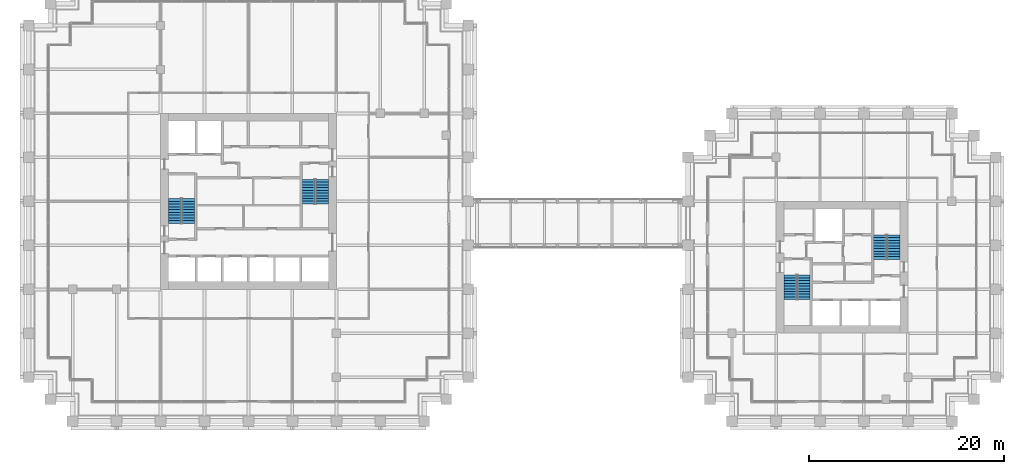
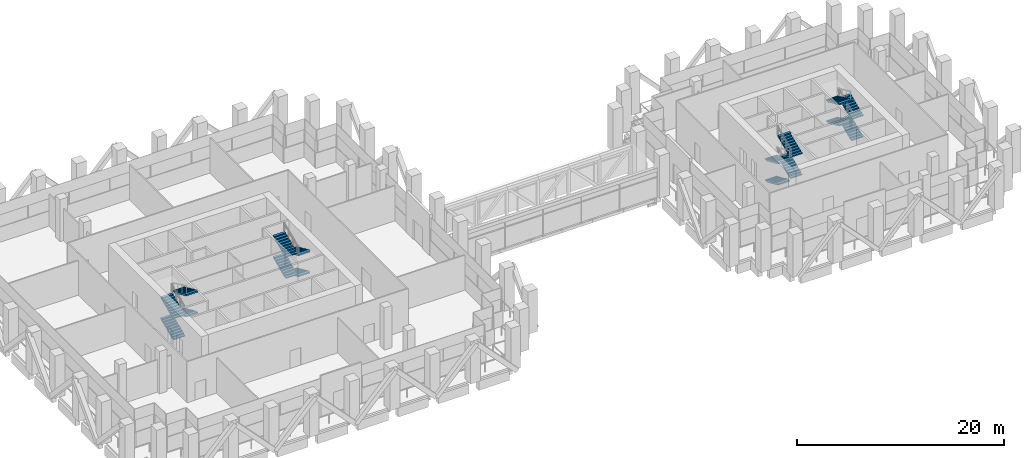
# One storey, part 41 of 44: 16 stair flights, 4 elements without a shape of their own.
"""IFC4 building model written with IfcOpenShell, lengths in metres."""

from ifc_helpers import new_model, si_unit, direction, frame, origin, place, context, subcontext, project, spatial, polyline, outline, extrude, material, type_object, element, aggregate, save


model = new_model("IFC4")

# Units and contexts
model_context = context("Model", 3, precision=1e-05, world=origin(), true_north=direction((0.0, 1.0)))
body_context = subcontext(model_context, "Body", "Model", "MODEL_VIEW")
ifc_project = project(units=[si_unit("LENGTHUNIT", "METRE"), si_unit("AREAUNIT", "SQUARE_METRE"), si_unit("VOLUMEUNIT", "CUBIC_METRE"), si_unit("PLANEANGLEUNIT", "RADIAN"), si_unit("MASSUNIT", "GRAM", prefix="KILO")], contexts=[model_context])

# Site, building, storey
site_placement = place(None, origin())
site = spatial("IfcSite", under=ifc_project, at=site_placement, CompositionType="ELEMENT")
building_placement = place(site_placement, origin())
building = spatial("IfcBuilding", under=site, at=building_placement, Name="Altepetl Exchange Towers", CompositionType="ELEMENT")
storey_placement = place(building_placement, frame((0.0, 0.0, 87.0)))
storey = spatial("IfcBuildingStorey", under=building, at=storey_placement, Name="L21 Refuge", CompositionType="ELEMENT", Elevation=87.0)

# Stair, stair flights
ifc_material = material(Name="Concrete C40/50", Category="concrete")
stair_type = type_object("IfcStairType", Name="Exit stair 1300 flights dogleg", PredefinedType="HALF_TURN_STAIR", material=ifc_material)
stair_1_placement = place(storey_placement, origin())
stair_1 = element("IfcStair", 1, at=stair_1_placement, inside=storey, type_object=stair_type, Name="Exit stair 1", PredefinedType="HALF_TURN_STAIR")
stair_flight_type = type_object("IfcStairFlightType", Name="Stair flight 1300 wide", PredefinedType="STRAIGHT", material=ifc_material)
stair_flight_1_placement = place(storey_placement, frame((41.949951171875, 47.25, 0.0), z_axis=(0.0, 0.0, 1.0), x_axis=(0.0, 1.0, 0.0)))
stair_flight_1 = element("IfcStairFlight", 2, at=stair_flight_1_placement, type_object=stair_flight_type, Name="ST-A1c flight 1", NumberOfRisers=10, NumberOfTreads=9, PredefinedType="STRAIGHT", RiserHeight=0.125, TreadLength=0.28, context=body_context, shape_type="SweptSolid", body=[
    extrude(outline(polyline([(0.0, 0.0), (0.0, 0.125), (0.280029296875, 0.125), (0.280029296875, 0.25), (0.56005859375, 0.25), (0.56005859375, 0.375), (0.840087890625, 0.375), (0.840087890625, 0.5), (1.1201171875, 0.5), (1.1201171875, 0.625), (1.39990234375, 0.625), (1.39990234375, 0.75), (1.679931640625, 0.75), (1.679931640625, 0.875), (1.9599609375, 0.875), (1.9599609375, 1.0), (2.239990234375, 1.0), (2.239990234375, 1.125), (2.52001953125, 1.125), (2.52001953125, 1.25), (2.52001953125, 0.9609375), (0.36767578125, 0.0), (0.0, 0.0)])), frame((0.0, 0.64990234375, 0.0), z_axis=(0.0, -1.0, 0.0), x_axis=(1.0, 0.0, 0.0)), (0.0, 0.0, 1.0), 1.300048828125),
])
stair_flight_2_placement = place(storey_placement, frame((43.35009765625, 49.77001953125, 1.25), z_axis=(0.0, 0.0, 1.0), x_axis=(0.0, -1.0, 0.0)))
stair_flight_2 = element("IfcStairFlight", 3, at=stair_flight_2_placement, type_object=stair_flight_type, Name="ST-A1c flight 2", NumberOfRisers=10, NumberOfTreads=9, PredefinedType="STRAIGHT", RiserHeight=0.125, TreadLength=0.28, context=body_context, shape_type="SweptSolid", body=[
    extrude(outline(polyline([(0.0, 0.0), (0.0, 0.125), (0.280029296875, 0.125), (0.280029296875, 0.25), (0.56005859375, 0.25), (0.56005859375, 0.375), (0.840087890625, 0.375), (0.840087890625, 0.5), (1.1201171875, 0.5), (1.1201171875, 0.625), (1.39990234375, 0.625), (1.39990234375, 0.75), (1.679931640625, 0.75), (1.679931640625, 0.875), (1.9599609375, 0.875), (1.9599609375, 1.0), (2.239990234375, 1.0), (2.239990234375, 1.125), (2.52001953125, 1.125), (2.52001953125, 1.25), (2.52001953125, 0.9609375), (0.36767578125, 0.0), (0.0, 0.0)])), frame((0.0, 0.64990234375, 0.0), z_axis=(0.0, -1.0, 0.0), x_axis=(1.0, 0.0, 0.0)), (0.0, 0.0, 1.0), 1.300048828125),
])
stair_flight_3_placement = place(storey_placement, frame((41.949951171875, 47.25, 2.5), z_axis=(0.0, 0.0, 1.0), x_axis=(0.0, 1.0, 0.0)))
stair_flight_3 = element("IfcStairFlight", 4, at=stair_flight_3_placement, type_object=stair_flight_type, Name="ST-A1c flight 3", NumberOfRisers=10, NumberOfTreads=9, PredefinedType="STRAIGHT", RiserHeight=0.125, TreadLength=0.28, context=body_context, shape_type="SweptSolid", body=[
    extrude(outline(polyline([(0.0, 0.0), (0.0, 0.125), (0.280029296875, 0.125), (0.280029296875, 0.25), (0.56005859375, 0.25), (0.56005859375, 0.375), (0.840087890625, 0.375), (0.840087890625, 0.5), (1.1201171875, 0.5), (1.1201171875, 0.625), (1.39990234375, 0.625), (1.39990234375, 0.75), (1.679931640625, 0.75), (1.679931640625, 0.875), (1.9599609375, 0.875), (1.9599609375, 1.0), (2.239990234375, 1.0), (2.239990234375, 1.125), (2.52001953125, 1.125), (2.52001953125, 1.25), (2.52001953125, 0.9609375), (0.36767578125, 0.0), (0.0, 0.0)])), frame((0.0, 0.64990234375, 0.0), z_axis=(0.0, -1.0, 0.0), x_axis=(1.0, 0.0, 0.0)), (0.0, 0.0, 1.0), 1.300048828125),
])
stair_flight_4_placement = place(storey_placement, frame((43.35009765625, 49.77001953125, 3.75), z_axis=(0.0, 0.0, 1.0), x_axis=(0.0, -1.0, 0.0)))
stair_flight_4 = element("IfcStairFlight", 5, at=stair_flight_4_placement, type_object=stair_flight_type, Name="ST-A1c flight 4", NumberOfRisers=10, NumberOfTreads=9, PredefinedType="STRAIGHT", RiserHeight=0.125, TreadLength=0.28, context=body_context, shape_type="SweptSolid", body=[
    extrude(outline(polyline([(0.0, 0.0), (0.0, 0.125), (0.280029296875, 0.125), (0.280029296875, 0.25), (0.56005859375, 0.25), (0.56005859375, 0.375), (0.840087890625, 0.375), (0.840087890625, 0.5), (1.1201171875, 0.5), (1.1201171875, 0.625), (1.39990234375, 0.625), (1.39990234375, 0.75), (1.679931640625, 0.75), (1.679931640625, 0.875), (1.9599609375, 0.875), (1.9599609375, 1.0), (2.239990234375, 1.0), (2.239990234375, 1.125), (2.52001953125, 1.125), (2.52001953125, 1.25), (2.52001953125, 0.9609375), (0.36767578125, 0.0), (0.0, 0.0)])), frame((0.0, 0.64990234375, 0.0), z_axis=(0.0, -1.0, 0.0), x_axis=(1.0, 0.0, 0.0)), (0.0, 0.0, 1.0), 1.300048828125),
])
aggregate(stair_1, [stair_flight_1, stair_flight_2, stair_flight_3, stair_flight_4])

stair_2_placement = place(storey_placement, origin())
stair_2 = element("IfcStair", 6, at=stair_2_placement, inside=storey, type_object=stair_type, Name="Exit stair 2", PredefinedType="HALF_TURN_STAIR")
stair_flight_5_placement = place(storey_placement, frame((57.050048828125, 51.75, 0.0), z_axis=(0.0, 0.0, 1.0), x_axis=(0.0, -1.0, 0.0)))
stair_flight_5 = element("IfcStairFlight", 7, at=stair_flight_5_placement, type_object=stair_flight_type, Name="ST-A2c flight 1", NumberOfRisers=10, NumberOfTreads=9, PredefinedType="STRAIGHT", RiserHeight=0.125, TreadLength=0.28, context=body_context, shape_type="SweptSolid", body=[
    extrude(outline(polyline([(0.0, 0.0), (0.0, 0.125), (0.280029296875, 0.125), (0.280029296875, 0.25), (0.56005859375, 0.25), (0.56005859375, 0.375), (0.840087890625, 0.375), (0.840087890625, 0.5), (1.1201171875, 0.5), (1.1201171875, 0.625), (1.39990234375, 0.625), (1.39990234375, 0.75), (1.679931640625, 0.75), (1.679931640625, 0.875), (1.9599609375, 0.875), (1.9599609375, 1.0), (2.239990234375, 1.0), (2.239990234375, 1.125), (2.52001953125, 1.125), (2.52001953125, 1.25), (2.52001953125, 0.9609375), (0.36767578125, 0.0), (0.0, 0.0)])), frame((0.0, 0.64990234375, 0.0), z_axis=(0.0, -1.0, 0.0), x_axis=(1.0, 0.0, 0.0)), (0.0, 0.0, 1.0), 1.300048828125),
])
stair_flight_6_placement = place(storey_placement, frame((55.64990234375, 49.22998046875, 1.25), z_axis=(0.0, 0.0, 1.0), x_axis=(0.0, 1.0, 0.0)))
stair_flight_6 = element("IfcStairFlight", 8, at=stair_flight_6_placement, type_object=stair_flight_type, Name="ST-A2c flight 2", NumberOfRisers=10, NumberOfTreads=9, PredefinedType="STRAIGHT", RiserHeight=0.125, TreadLength=0.28, context=body_context, shape_type="SweptSolid", body=[
    extrude(outline(polyline([(0.0, 0.0), (0.0, 0.125), (0.280029296875, 0.125), (0.280029296875, 0.25), (0.56005859375, 0.25), (0.56005859375, 0.375), (0.840087890625, 0.375), (0.840087890625, 0.5), (1.1201171875, 0.5), (1.1201171875, 0.625), (1.39990234375, 0.625), (1.39990234375, 0.75), (1.679931640625, 0.75), (1.679931640625, 0.875), (1.9599609375, 0.875), (1.9599609375, 1.0), (2.239990234375, 1.0), (2.239990234375, 1.125), (2.52001953125, 1.125), (2.52001953125, 1.25), (2.52001953125, 0.9609375), (0.36767578125, 0.0), (0.0, 0.0)])), frame((0.0, 0.64990234375, 0.0), z_axis=(0.0, -1.0, 0.0), x_axis=(1.0, 0.0, 0.0)), (0.0, 0.0, 1.0), 1.300048828125),
])
stair_flight_7_placement = place(storey_placement, frame((57.050048828125, 51.75, 2.5), z_axis=(0.0, 0.0, 1.0), x_axis=(0.0, -1.0, 0.0)))
stair_flight_7 = element("IfcStairFlight", 9, at=stair_flight_7_placement, type_object=stair_flight_type, Name="ST-A2c flight 3", NumberOfRisers=10, NumberOfTreads=9, PredefinedType="STRAIGHT", RiserHeight=0.125, TreadLength=0.28, context=body_context, shape_type="SweptSolid", body=[
    extrude(outline(polyline([(0.0, 0.0), (0.0, 0.125), (0.280029296875, 0.125), (0.280029296875, 0.25), (0.56005859375, 0.25), (0.56005859375, 0.375), (0.840087890625, 0.375), (0.840087890625, 0.5), (1.1201171875, 0.5), (1.1201171875, 0.625), (1.39990234375, 0.625), (1.39990234375, 0.75), (1.679931640625, 0.75), (1.679931640625, 0.875), (1.9599609375, 0.875), (1.9599609375, 1.0), (2.239990234375, 1.0), (2.239990234375, 1.125), (2.52001953125, 1.125), (2.52001953125, 1.25), (2.52001953125, 0.9609375), (0.36767578125, 0.0), (0.0, 0.0)])), frame((0.0, 0.64990234375, 0.0), z_axis=(0.0, -1.0, 0.0), x_axis=(1.0, 0.0, 0.0)), (0.0, 0.0, 1.0), 1.300048828125),
])
stair_flight_8_placement = place(storey_placement, frame((55.64990234375, 49.22998046875, 3.75), z_axis=(0.0, 0.0, 1.0), x_axis=(0.0, 1.0, 0.0)))
stair_flight_8 = element("IfcStairFlight", 10, at=stair_flight_8_placement, type_object=stair_flight_type, Name="ST-A2c flight 4", NumberOfRisers=10, NumberOfTreads=9, PredefinedType="STRAIGHT", RiserHeight=0.125, TreadLength=0.28, context=body_context, shape_type="SweptSolid", body=[
    extrude(outline(polyline([(0.0, 0.0), (0.0, 0.125), (0.280029296875, 0.125), (0.280029296875, 0.25), (0.56005859375, 0.25), (0.56005859375, 0.375), (0.840087890625, 0.375), (0.840087890625, 0.5), (1.1201171875, 0.5), (1.1201171875, 0.625), (1.39990234375, 0.625), (1.39990234375, 0.75), (1.679931640625, 0.75), (1.679931640625, 0.875), (1.9599609375, 0.875), (1.9599609375, 1.0), (2.239990234375, 1.0), (2.239990234375, 1.125), (2.52001953125, 1.125), (2.52001953125, 1.25), (2.52001953125, 0.9609375), (0.36767578125, 0.0), (0.0, 0.0)])), frame((0.0, 0.64990234375, 0.0), z_axis=(0.0, -1.0, 0.0), x_axis=(1.0, 0.0, 0.0)), (0.0, 0.0, 1.0), 1.300048828125),
])
aggregate(stair_2, [stair_flight_5, stair_flight_6, stair_flight_7, stair_flight_8])

stair_3_placement = place(storey_placement, origin())
stair_3 = element("IfcStair", 11, at=stair_3_placement, inside=storey, type_object=stair_type, Name="Exit stair 1", PredefinedType="HALF_TURN_STAIR")
stair_flight_9_placement = place(storey_placement, frame((104.949951171875, 41.949951171875, 0.0), z_axis=(0.0, 0.0, 1.0), x_axis=(0.0, -1.0, 0.0)))
stair_flight_9 = element("IfcStairFlight", 12, at=stair_flight_9_placement, type_object=stair_flight_type, Name="ST-B1c flight 1", NumberOfRisers=10, NumberOfTreads=9, PredefinedType="STRAIGHT", RiserHeight=0.125, TreadLength=0.28, context=body_context, shape_type="SweptSolid", body=[
    extrude(outline(polyline([(0.0, 0.0), (0.0, 0.125), (0.280029296875, 0.125), (0.280029296875, 0.25), (0.56005859375, 0.25), (0.56005859375, 0.375), (0.840087890625, 0.375), (0.840087890625, 0.5), (1.1201171875, 0.5), (1.1201171875, 0.625), (1.39990234375, 0.625), (1.39990234375, 0.75), (1.679931640625, 0.75), (1.679931640625, 0.875), (1.9599609375, 0.875), (1.9599609375, 1.0), (2.239990234375, 1.0), (2.239990234375, 1.125), (2.52001953125, 1.125), (2.52001953125, 1.25), (2.52001953125, 0.9609375), (0.36767578125, 0.0), (0.0, 0.0)])), frame((0.0, 0.64990234375, 0.0), z_axis=(0.0, -1.0, 0.0), x_axis=(1.0, 0.0, 0.0)), (0.0, 0.0, 1.0), 1.300048828125),
])
stair_flight_10_placement = place(storey_placement, frame((106.35009765625, 39.429931640625, 1.25), z_axis=(0.0, 0.0, 1.0), x_axis=(0.0, 1.0, 0.0)))
stair_flight_10 = element("IfcStairFlight", 13, at=stair_flight_10_placement, type_object=stair_flight_type, Name="ST-B1c flight 2", NumberOfRisers=10, NumberOfTreads=9, PredefinedType="STRAIGHT", RiserHeight=0.125, TreadLength=0.28, context=body_context, shape_type="SweptSolid", body=[
    extrude(outline(polyline([(0.0, 0.0), (0.0, 0.125), (0.280029296875, 0.125), (0.280029296875, 0.25), (0.56005859375, 0.25), (0.56005859375, 0.375), (0.840087890625, 0.375), (0.840087890625, 0.5), (1.1201171875, 0.5), (1.1201171875, 0.625), (1.39990234375, 0.625), (1.39990234375, 0.75), (1.679931640625, 0.75), (1.679931640625, 0.875), (1.9599609375, 0.875), (1.9599609375, 1.0), (2.239990234375, 1.0), (2.239990234375, 1.125), (2.52001953125, 1.125), (2.52001953125, 1.25), (2.52001953125, 0.9609375), (0.36767578125, 0.0), (0.0, 0.0)])), frame((0.0, 0.64990234375, 0.0), z_axis=(0.0, -1.0, 0.0), x_axis=(1.0, 0.0, 0.0)), (0.0, 0.0, 1.0), 1.300048828125),
])
stair_flight_11_placement = place(storey_placement, frame((104.949951171875, 41.949951171875, 2.5), z_axis=(0.0, 0.0, 1.0), x_axis=(0.0, -1.0, 0.0)))
stair_flight_11 = element("IfcStairFlight", 14, at=stair_flight_11_placement, type_object=stair_flight_type, Name="ST-B1c flight 3", NumberOfRisers=10, NumberOfTreads=9, PredefinedType="STRAIGHT", RiserHeight=0.125, TreadLength=0.28, context=body_context, shape_type="SweptSolid", body=[
    extrude(outline(polyline([(0.0, 0.0), (0.0, 0.125), (0.280029296875, 0.125), (0.280029296875, 0.25), (0.56005859375, 0.25), (0.56005859375, 0.375), (0.840087890625, 0.375), (0.840087890625, 0.5), (1.1201171875, 0.5), (1.1201171875, 0.625), (1.39990234375, 0.625), (1.39990234375, 0.75), (1.679931640625, 0.75), (1.679931640625, 0.875), (1.9599609375, 0.875), (1.9599609375, 1.0), (2.239990234375, 1.0), (2.239990234375, 1.125), (2.52001953125, 1.125), (2.52001953125, 1.25), (2.52001953125, 0.9609375), (0.36767578125, 0.0), (0.0, 0.0)])), frame((0.0, 0.64990234375, 0.0), z_axis=(0.0, -1.0, 0.0), x_axis=(1.0, 0.0, 0.0)), (0.0, 0.0, 1.0), 1.300048828125),
])
stair_flight_12_placement = place(storey_placement, frame((106.35009765625, 39.429931640625, 3.75), z_axis=(0.0, 0.0, 1.0), x_axis=(0.0, 1.0, 0.0)))
stair_flight_12 = element("IfcStairFlight", 15, at=stair_flight_12_placement, type_object=stair_flight_type, Name="ST-B1c flight 4", NumberOfRisers=10, NumberOfTreads=9, PredefinedType="STRAIGHT", RiserHeight=0.125, TreadLength=0.28, context=body_context, shape_type="SweptSolid", body=[
    extrude(outline(polyline([(0.0, 0.0), (0.0, 0.125), (0.280029296875, 0.125), (0.280029296875, 0.25), (0.56005859375, 0.25), (0.56005859375, 0.375), (0.840087890625, 0.375), (0.840087890625, 0.5), (1.1201171875, 0.5), (1.1201171875, 0.625), (1.39990234375, 0.625), (1.39990234375, 0.75), (1.679931640625, 0.75), (1.679931640625, 0.875), (1.9599609375, 0.875), (1.9599609375, 1.0), (2.239990234375, 1.0), (2.239990234375, 1.125), (2.52001953125, 1.125), (2.52001953125, 1.25), (2.52001953125, 0.9609375), (0.36767578125, 0.0), (0.0, 0.0)])), frame((0.0, 0.64990234375, 0.0), z_axis=(0.0, -1.0, 0.0), x_axis=(1.0, 0.0, 0.0)), (0.0, 0.0, 1.0), 1.300048828125),
])
aggregate(stair_3, [stair_flight_9, stair_flight_10, stair_flight_11, stair_flight_12])

stair_4_placement = place(storey_placement, origin())
stair_4 = element("IfcStair", 16, at=stair_4_placement, inside=storey, type_object=stair_type, Name="Exit stair 2", PredefinedType="HALF_TURN_STAIR")
stair_flight_13_placement = place(storey_placement, frame((115.550048828125, 43.550048828125, 0.0), z_axis=(0.0, 0.0, 1.0), x_axis=(0.0, 1.0, 0.0)))
stair_flight_13 = element("IfcStairFlight", 17, at=stair_flight_13_placement, type_object=stair_flight_type, Name="ST-B2c flight 1", NumberOfRisers=10, NumberOfTreads=9, PredefinedType="STRAIGHT", RiserHeight=0.125, TreadLength=0.28, context=body_context, shape_type="SweptSolid", body=[
    extrude(outline(polyline([(0.0, 0.0), (0.0, 0.125), (0.280029296875, 0.125), (0.280029296875, 0.25), (0.56005859375, 0.25), (0.56005859375, 0.375), (0.840087890625, 0.375), (0.840087890625, 0.5), (1.1201171875, 0.5), (1.1201171875, 0.625), (1.39990234375, 0.625), (1.39990234375, 0.75), (1.679931640625, 0.75), (1.679931640625, 0.875), (1.9599609375, 0.875), (1.9599609375, 1.0), (2.239990234375, 1.0), (2.239990234375, 1.125), (2.52001953125, 1.125), (2.52001953125, 1.25), (2.52001953125, 0.9609375), (0.36767578125, 0.0), (0.0, 0.0)])), frame((0.0, 0.64990234375, 0.0), z_axis=(0.0, -1.0, 0.0), x_axis=(1.0, 0.0, 0.0)), (0.0, 0.0, 1.0), 1.300048828125),
])
stair_flight_14_placement = place(storey_placement, frame((114.14990234375, 46.070068359375, 1.25), z_axis=(0.0, 0.0, 1.0), x_axis=(0.0, -1.0, 0.0)))
stair_flight_14 = element("IfcStairFlight", 18, at=stair_flight_14_placement, type_object=stair_flight_type, Name="ST-B2c flight 2", NumberOfRisers=10, NumberOfTreads=9, PredefinedType="STRAIGHT", RiserHeight=0.125, TreadLength=0.28, context=body_context, shape_type="SweptSolid", body=[
    extrude(outline(polyline([(0.0, 0.0), (0.0, 0.125), (0.280029296875, 0.125), (0.280029296875, 0.25), (0.56005859375, 0.25), (0.56005859375, 0.375), (0.840087890625, 0.375), (0.840087890625, 0.5), (1.1201171875, 0.5), (1.1201171875, 0.625), (1.39990234375, 0.625), (1.39990234375, 0.75), (1.679931640625, 0.75), (1.679931640625, 0.875), (1.9599609375, 0.875), (1.9599609375, 1.0), (2.239990234375, 1.0), (2.239990234375, 1.125), (2.52001953125, 1.125), (2.52001953125, 1.25), (2.52001953125, 0.9609375), (0.36767578125, 0.0), (0.0, 0.0)])), frame((0.0, 0.64990234375, 0.0), z_axis=(0.0, -1.0, 0.0), x_axis=(1.0, 0.0, 0.0)), (0.0, 0.0, 1.0), 1.300048828125),
])
stair_flight_15_placement = place(storey_placement, frame((115.550048828125, 43.550048828125, 2.5), z_axis=(0.0, 0.0, 1.0), x_axis=(0.0, 1.0, 0.0)))
stair_flight_15 = element("IfcStairFlight", 19, at=stair_flight_15_placement, type_object=stair_flight_type, Name="ST-B2c flight 3", NumberOfRisers=10, NumberOfTreads=9, PredefinedType="STRAIGHT", RiserHeight=0.125, TreadLength=0.28, context=body_context, shape_type="SweptSolid", body=[
    extrude(outline(polyline([(0.0, 0.0), (0.0, 0.125), (0.280029296875, 0.125), (0.280029296875, 0.25), (0.56005859375, 0.25), (0.56005859375, 0.375), (0.840087890625, 0.375), (0.840087890625, 0.5), (1.1201171875, 0.5), (1.1201171875, 0.625), (1.39990234375, 0.625), (1.39990234375, 0.75), (1.679931640625, 0.75), (1.679931640625, 0.875), (1.9599609375, 0.875), (1.9599609375, 1.0), (2.239990234375, 1.0), (2.239990234375, 1.125), (2.52001953125, 1.125), (2.52001953125, 1.25), (2.52001953125, 0.9609375), (0.36767578125, 0.0), (0.0, 0.0)])), frame((0.0, 0.64990234375, 0.0), z_axis=(0.0, -1.0, 0.0), x_axis=(1.0, 0.0, 0.0)), (0.0, 0.0, 1.0), 1.300048828125),
])
stair_flight_16_placement = place(storey_placement, frame((114.14990234375, 46.070068359375, 3.75), z_axis=(0.0, 0.0, 1.0), x_axis=(0.0, -1.0, 0.0)))
stair_flight_16 = element("IfcStairFlight", 20, at=stair_flight_16_placement, type_object=stair_flight_type, Name="ST-B2c flight 4", NumberOfRisers=10, NumberOfTreads=9, PredefinedType="STRAIGHT", RiserHeight=0.125, TreadLength=0.28, context=body_context, shape_type="SweptSolid", body=[
    extrude(outline(polyline([(0.0, 0.0), (0.0, 0.125), (0.280029296875, 0.125), (0.280029296875, 0.25), (0.56005859375, 0.25), (0.56005859375, 0.375), (0.840087890625, 0.375), (0.840087890625, 0.5), (1.1201171875, 0.5), (1.1201171875, 0.625), (1.39990234375, 0.625), (1.39990234375, 0.75), (1.679931640625, 0.75), (1.679931640625, 0.875), (1.9599609375, 0.875), (1.9599609375, 1.0), (2.239990234375, 1.0), (2.239990234375, 1.125), (2.52001953125, 1.125), (2.52001953125, 1.25), (2.52001953125, 0.9609375), (0.36767578125, 0.0), (0.0, 0.0)])), frame((0.0, 0.64990234375, 0.0), z_axis=(0.0, -1.0, 0.0), x_axis=(1.0, 0.0, 0.0)), (0.0, 0.0, 1.0), 1.300048828125),
])
aggregate(stair_4, [stair_flight_13, stair_flight_14, stair_flight_15, stair_flight_16])

save(model, "model.ifc")
